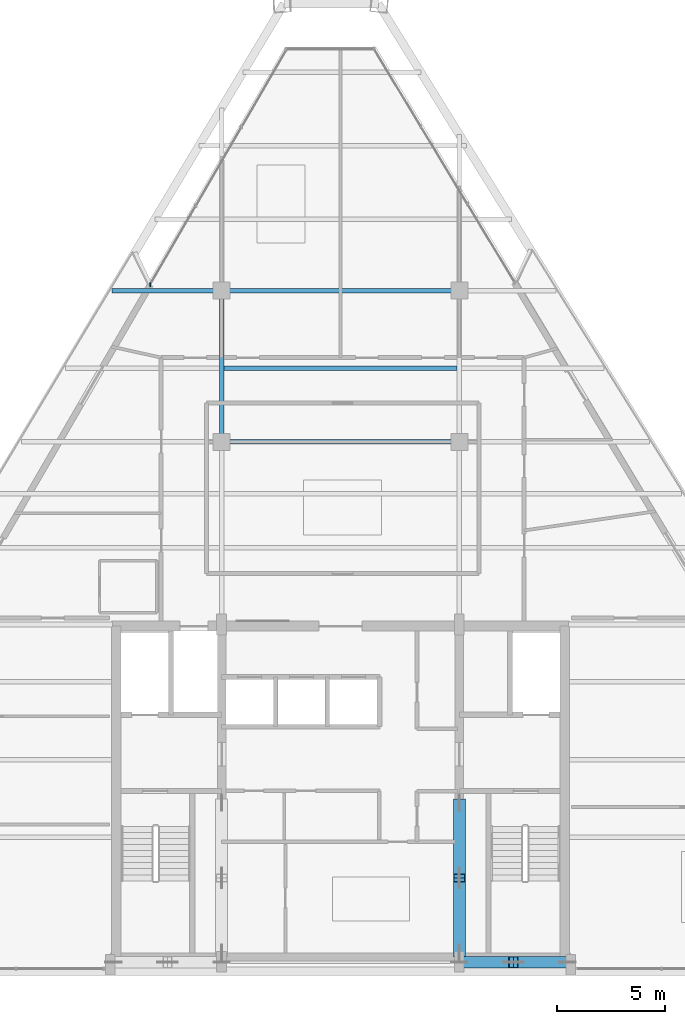
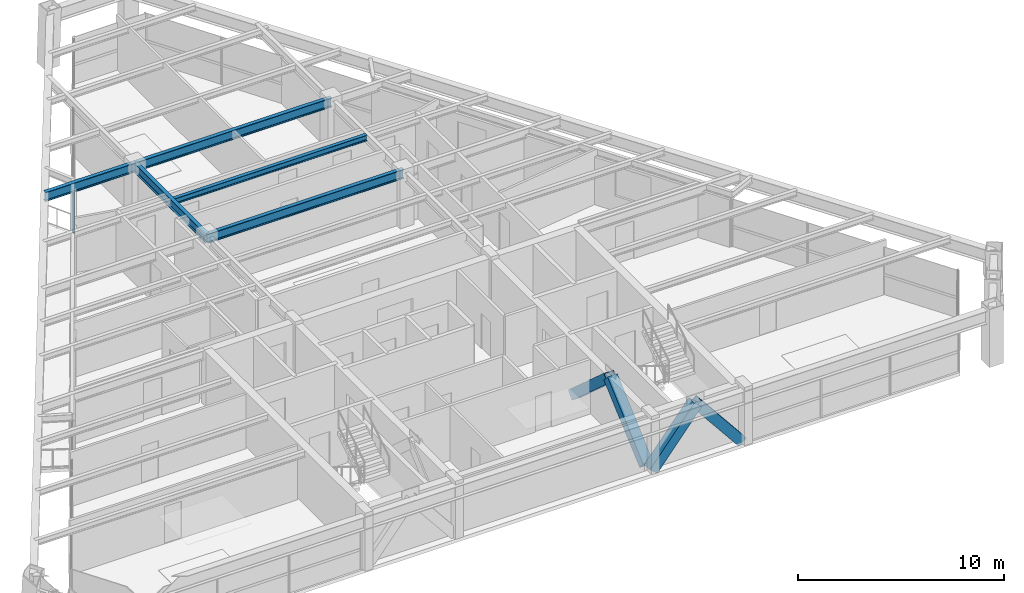
# One storey, part 4 of 13: 6 members, 5 beams, 1 element without a shape of its own.
"""IFC4 building model written with IfcOpenShell, lengths in metres."""

from ifc_helpers import new_model, si_unit, direction, frame, origin, origin_2d, place, context, subcontext, project, spatial, rectangle, hollow_rectangle, i_section, extrude, source, transform, mapped, material, material_profile, profile_set, type_object, type_shapes, element, aggregate, save


model = new_model("IFC4")

# Units and contexts
model_context = context("Model", 3, precision=1e-05, world=origin(), true_north=direction((0.0, 1.0)))
body_context = subcontext(model_context, "Body", "Model", "MODEL_VIEW")
ifc_project = project(units=[si_unit("LENGTHUNIT", "METRE"), si_unit("AREAUNIT", "SQUARE_METRE"), si_unit("VOLUMEUNIT", "CUBIC_METRE"), si_unit("PLANEANGLEUNIT", "RADIAN"), si_unit("MASSUNIT", "GRAM", prefix="KILO")], contexts=[model_context])

# Site, building, storey
site_placement = place(None, origin())
site = spatial("IfcSite", under=ifc_project, at=site_placement, CompositionType="ELEMENT")
building_placement = place(site_placement, origin())
building = spatial("IfcBuilding", under=site, at=building_placement, Name="Varnakhor Terracotta Tower", CompositionType="ELEMENT")
storey_placement = place(building_placement, frame((0.0, 0.0, 262.64990234375)))
storey = spatial("IfcBuildingStorey", under=building, at=storey_placement, Name="L68", CompositionType="ELEMENT", Elevation=262.64990234375)

# Beams
ifc_material_1 = material(Name="Steel S355", Category="steel")
ifc_material_profile_1 = material_profile(ifc_material_1, i_section(OverallWidth=0.214111328125, OverallDepth=0.549072265625, WebThickness=0.014892578125, FlangeThickness=0.02392578125, FilletRadius=0.01806640625, at=origin_2d()), Name="W21X93")
ifc_profile_set_1 = profile_set([ifc_material_profile_1], Name="Steel S355")
beam_type_1 = type_object("IfcBeamType", Name="BM-W21X93", PredefinedType="BEAM", material=ifc_profile_set_1)
shared_shape_1 = source(origin(), body_context, "Body", "SweptSolid", [
    extrude(i_section(OverallWidth=0.214111328125, OverallDepth=0.549072265625, WebThickness=0.014892578125, FlangeThickness=0.02392578125, FilletRadius=0.01806640625, at=origin_2d()), origin(), (0.0, 0.0, 1.0), 7.0),
])
beam_1_placement = place(storey_placement, frame((-5.5, 24.5, 2.965576171875), z_axis=(0.0, 1.0, 0.0), x_axis=(-1.0, 0.0, 0.0)))
element("IfcBeam", 1, at=beam_1_placement, inside=storey, type_object=beam_type_1, Name="L68 Primary Girder NS2-W", PredefinedType="BEAM", context=body_context, shape_type="MappedRepresentation", body=[
    mapped(shared_shape_1, transform((0.0, 0.0, 0.0), scale=1.0)),
])
shared_shape_2 = source(origin(), body_context, "Body", "SweptSolid", [
    extrude(i_section(OverallWidth=0.214111328125, OverallDepth=0.549072265625, WebThickness=0.014892578125, FlangeThickness=0.02392578125, FilletRadius=0.01806640625, at=origin_2d()), origin(), (0.0, 0.0, 1.0), 11.0),
])
for number, where, z_axis, x_axis, name in (
    (2, (-5.5, 24.5, 2.965576171875), (1.0, 0.0, 0.0), (0.0, 1.0, 0.0), "L68 Primary Girder EW2-2"),
    (3, (-5.5, 31.5, 2.965576171875), (1.0, 0.0, 0.0), (0.0, 1.0, 0.0), "L68 Primary Girder EW3-2"),
):
    element("IfcBeam", number, at=place(storey_placement, frame(where, z_axis=z_axis, x_axis=x_axis)), inside=storey, type_object=beam_type_1, Name=name, PredefinedType="BEAM", context=body_context, shape_type="MappedRepresentation", body=[
        mapped(shared_shape_2, transform((0.0, 0.0, 0.0), scale=1.0)),
    ])
ifc_material_profile_2 = material_profile(ifc_material_1, i_section(OverallWidth=0.202880859375, OverallDepth=0.346923828125, WebThickness=0.0078125, FlangeThickness=0.013427734375, FilletRadius=0.01806640625, at=origin_2d()), Name="W14X43")
ifc_profile_set_2 = profile_set([ifc_material_profile_2], Name="Steel S355")
beam_type_2 = type_object("IfcBeamType", Name="JST-W14X43", PredefinedType="JOIST", material=ifc_profile_set_2)
shared_shape_3 = source(origin(), body_context, "Body", "SweptSolid", [
    extrude(i_section(OverallWidth=0.202880859375, OverallDepth=0.346923828125, WebThickness=0.0078125, FlangeThickness=0.013427734375, FilletRadius=0.01806640625, at=origin_2d()), origin(), (0.0, 0.0, 1.0), 10.7939453125),
])
beam_2_placement = place(storey_placement, frame((-5.39697265625, 27.89990234375, 3.066650390625), z_axis=(1.0, 0.0, 0.0), x_axis=(0.0, 1.0, 0.0)))
element("IfcBeam", 4, at=beam_2_placement, inside=storey, type_object=beam_type_2, Name="L68 Composite Floor Joist 6-2", PredefinedType="JOIST", context=body_context, shape_type="MappedRepresentation", body=[
    mapped(shared_shape_3, transform((0.0, 0.0, 0.0), scale=1.0)),
])

# Members
ifc_material_profile_3 = material_profile(ifc_material_1, hollow_rectangle(XDim=0.550048828125, YDim=0.550048828125, WallThickness=0.034912109375, at=origin_2d()), Name="HSS550X550X35")
ifc_profile_set_3 = profile_set([ifc_material_profile_3], Name="Steel S355")
member_type_1 = type_object("IfcMemberType", Name="MBR-MEGA-550", PredefinedType="BRACE", material=ifc_profile_set_3)
shared_shape_4 = source(origin(), body_context, "Body", "SweptSolid", [
    extrude(hollow_rectangle(XDim=0.550048828125, YDim=0.550048828125, WallThickness=0.034912109375, at=origin_2d()), origin(), (0.0, 0.0, 1.0), 3.974853515625),
])
for number, where, z_axis, x_axis, name in (
    (5, (5.5, 0.419921875, 0.0), (0.628970263838, 0.0, 0.777429358339), (0.0, 1.0, 0.0), "L68 Core Coupled Brace CSEA"),
    (6, (10.5, 0.419921875, 0.0), (-0.628970263838, 0.0, 0.777429358339), (0.0, -1.0, 0.0), "L68 Core Coupled Brace CSEB"),
):
    element("IfcMember", number, at=place(storey_placement, frame(where, z_axis=z_axis, x_axis=x_axis)), inside=storey, type_object=member_type_1, Name=name, PredefinedType="BRACE", context=body_context, shape_type="MappedRepresentation", body=[
        mapped(shared_shape_4, transform((0.0, 0.0, 0.0), scale=1.0)),
    ])
shared_shape_5 = source(origin(), body_context, "Body", "SweptSolid", [
    extrude(hollow_rectangle(XDim=0.550048828125, YDim=0.550048828125, WallThickness=0.034912109375, at=origin_2d()), origin(), (0.0, 0.0, 1.0), 4.650146484375),
])
for number, where, z_axis, x_axis, name in (
    (7, (5.5, 0.85009765625, 0.0), (0.0, 0.74726736397, 0.664523503532), (-1.0, 0.0, 0.0), "L68 Core Coupled Brace CWEA"),
    (8, (5.5, 7.800048828125, 0.0), (0.0, -0.74729054724, 0.664497432655), (1.0, 0.0, 0.0), "L68 Core Coupled Brace CWEB"),
):
    element("IfcMember", number, at=place(storey_placement, frame(where, z_axis=z_axis, x_axis=x_axis)), inside=storey, type_object=member_type_1, Name=name, PredefinedType="BRACE", context=body_context, shape_type="MappedRepresentation", body=[
        mapped(shared_shape_5, transform((0.0, 0.0, 0.0), scale=1.0)),
    ])

# Beam
shared_shape_6 = source(origin(), body_context, "Body", "SweptSolid", [
    extrude(i_section(OverallWidth=0.214111328125, OverallDepth=0.549072265625, WebThickness=0.014892578125, FlangeThickness=0.02392578125, FilletRadius=0.01806640625, at=origin_2d()), origin(), (0.0, 0.0, 1.0), 5.071533203125),
])
beam_3_placement = place(storey_placement, frame((-10.571533203125, 31.5, 2.965576171875), z_axis=(1.0, 0.0, 0.0), x_axis=(0.0, 1.0, 0.0)))
element("IfcBeam", 9, at=beam_3_placement, inside=storey, type_object=beam_type_1, Name="L68 Primary Girder EW3-1", PredefinedType="BEAM", context=body_context, shape_type="MappedRepresentation", body=[
    mapped(shared_shape_6, transform((0.0, 0.0, 0.0), scale=1.0)),
])

# Curtain wall, members
ifc_material_2 = material(Name="Anodised Aluminium Curtain Wall System", Category="aluminium")
curtain_wall_type = type_object("IfcCurtainWallType", Name="CW-SYS-HOTEL-LOGGIA", PredefinedType="NOTDEFINED", material=ifc_material_2)
curtain_wall_placement = place(storey_placement, origin())
curtain_wall = element("IfcCurtainWall", 10, at=curtain_wall_placement, inside=storey, type_object=curtain_wall_type, Name="L68 W Facet Curtain Wall 2", PredefinedType="NOTDEFINED")
ifc_material_3 = material(Name="Anodised Aluminium 6063-T6", Category="aluminium")
ifc_material_profile_4 = material_profile(ifc_material_3, rectangle(XDim=0.06494140625, YDim=0.159912109375, at=origin_2d()), Name="ALU MULLION 65x160")
ifc_profile_set_4 = profile_set([ifc_material_profile_4], Name="Anodised Aluminium 6063-T6")
member_type_2 = type_object("IfcMemberType", Name="CWM-04", PredefinedType="MULLION", material=ifc_profile_set_4)
shared_shape_7 = source(origin(), body_context, "Body", "SweptSolid", [
    extrude(rectangle(XDim=0.06494140625, YDim=0.159912109375, at=origin_2d()), origin(), (0.0, 0.0, 1.0), 2.820068359375),
])
type_shapes(member_type_2, [shared_shape_7])
member_1_placement = place(storey_placement, frame((-8.80224609375, 31.793701171875, 0.0), z_axis=(0.0, 0.0, 1.0), x_axis=(1.0, 0.0, 0.0)))
member_1 = element("IfcMember", 11, at=member_1_placement, type_object=member_type_2, Name="L68 W Facet Curtain Wall 2 Mullion 1", PredefinedType="MULLION", context=body_context, shape_type="MappedRepresentation", body=[
    mapped(shared_shape_7, transform((0.0, 0.0, 0.0), scale=1.0)),
])
member_2_placement = place(storey_placement, frame((-8.800048828125, 31.7578125, 0.0), z_axis=(0.0, 0.0, 1.0), x_axis=(1.0, 0.0, 0.0)))
member_2 = element("IfcMember", 12, at=member_2_placement, type_object=member_type_2, Name="L68 W Loggia Jamb Closure Mullion 2", PredefinedType="MULLION", context=body_context, shape_type="MappedRepresentation", body=[
    mapped(shared_shape_7, transform((0.0, 0.0, 0.0), scale=1.0)),
])
aggregate(curtain_wall, [member_1, member_2])

save(model, "model.ifc")
